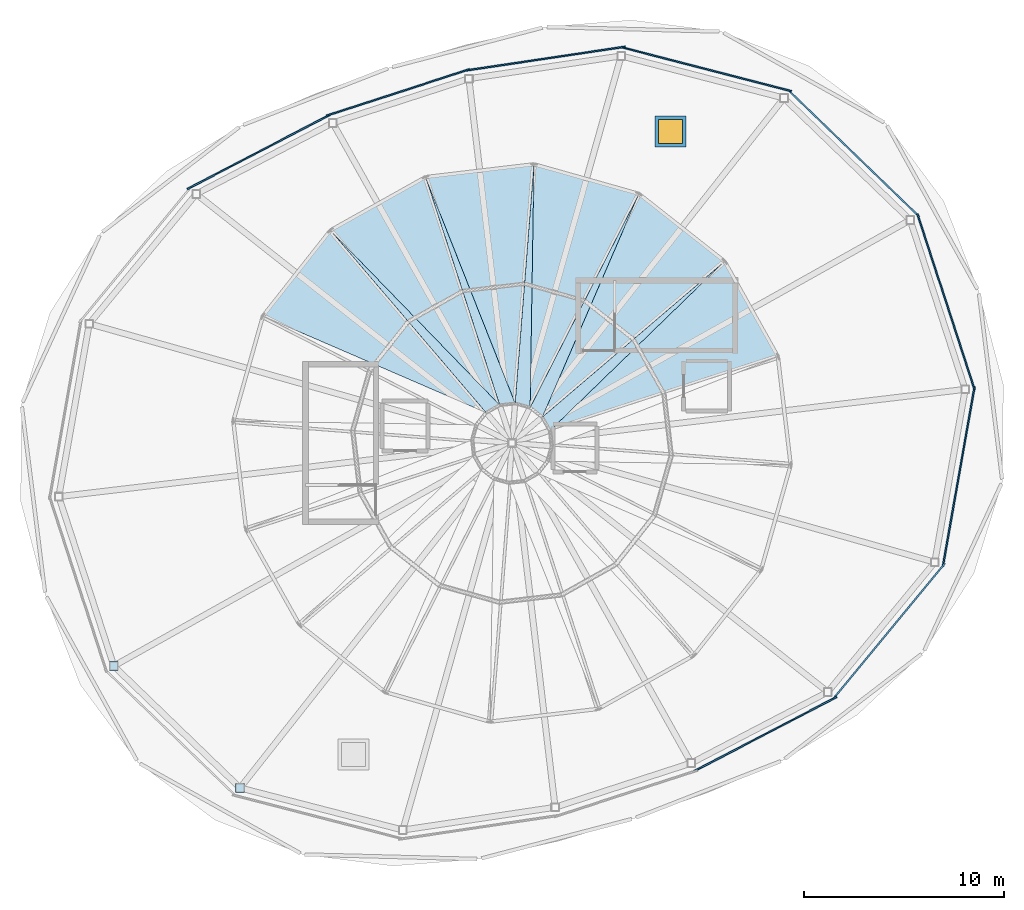
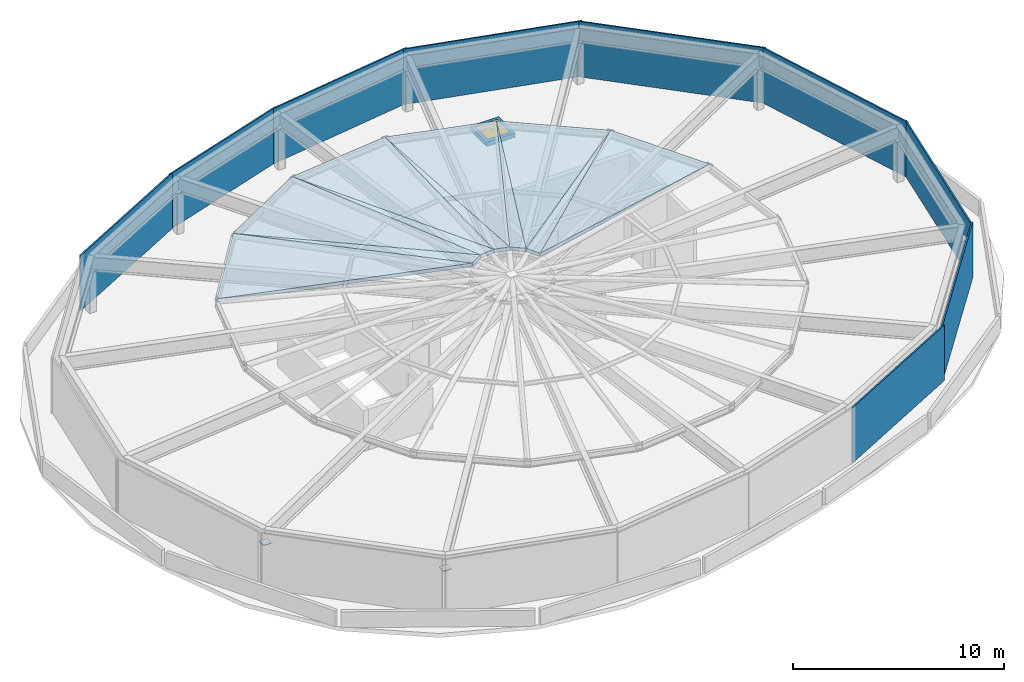
# One storey, part 4 of 9: 12 slabs, 11 plates, 1 door, 1 opening.
"""IFC4 building model written with IfcOpenShell, lengths in metres."""

from ifc_helpers import new_model, si_unit, direction, frame, origin, origin_2d, place, context, subcontext, project, spatial, polyline, rectangle, outline, extrude, material, layer, layer_set, type_object, element, fill, save


model = new_model("IFC4")

# Units and contexts
model_context = context("Model", 3, precision=1e-05, world=origin(), true_north=direction((0.0, 1.0)))
body_context = subcontext(model_context, "Body", "Model", "MODEL_VIEW")
ifc_project = project(units=[si_unit("LENGTHUNIT", "METRE"), si_unit("AREAUNIT", "SQUARE_METRE"), si_unit("VOLUMEUNIT", "CUBIC_METRE"), si_unit("PLANEANGLEUNIT", "RADIAN"), si_unit("MASSUNIT", "GRAM", prefix="KILO")], contexts=[model_context])

# Site, building, storey
site_placement = place(None, origin())
site = spatial("IfcSite", under=ifc_project, at=site_placement, CompositionType="ELEMENT")
building_placement = place(site_placement, origin())
building = spatial("IfcBuilding", under=site, at=building_placement, Name="Kazma Halo Residences", CompositionType="ELEMENT")
storey_placement = place(building_placement, frame((0.0, 0.0, 377.60009765625)))
storey = spatial("IfcBuildingStorey", under=building, at=storey_placement, Name="Roof", CompositionType="ELEMENT", Elevation=377.60009765625)

# Plates
ifc_material_1 = material(Name="Aluminium AW-6063 T6 Perforated Acoustic Louvre Screen", Category="aluminium")
ifc_layer_1 = layer(ifc_material_1, 0.080078125)
ifc_layer_set_1 = layer_set([ifc_layer_1], Name="Aluminium AW-6063 T6 Perforated Acoustic Louvre Screen")
plate_type_1 = type_object("IfcPlateType", Name="PLT-CROWN-LOUVRE", PredefinedType="SHEET", material=ifc_layer_set_1)
plate_1_placement = place(storey_placement, frame((65.11474609375, 56.5048828125, 0.0), z_axis=(0.0, 0.0, 1.0), x_axis=(-0.719342064482, 0.694656025863, 0.0)))
element("IfcPlate", 1, at=plate_1_placement, inside=storey, type_object=plate_type_1, Name="Roof crown halo acoustic louvre screen 01", PredefinedType="SHEET", context=body_context, shape_type="SweptSolid", body=[
    extrude(rectangle(XDim=9.150390625, YDim=0.080078125, at=origin_2d()), origin(), (0.0, 0.0, 1.0), 3.199951171875),
])
plate_2_placement = place(storey_placement, frame((57.7451171875, 60.71826171875, 0.0), z_axis=(0.0, 0.0, 1.0), x_axis=(-0.968124370805, 0.250469963576, 0.0)))
element("IfcPlate", 2, at=plate_2_placement, inside=storey, type_object=plate_type_1, Name="Roof crown halo acoustic louvre screen 02", PredefinedType="SHEET", context=body_context, shape_type="SweptSolid", body=[
    extrude(rectangle(XDim=8.779296875, YDim=0.080078125, at=origin_2d()), origin(), (0.0, 0.0, 1.0), 3.199951171875),
])
plate_3_placement = place(storey_placement, frame((49.692138671875, 61.25146484375, 0.0), z_axis=(0.0, 0.0, 1.0), x_axis=(-0.98903421845, -0.147686542161, 0.0)))
element("IfcPlate", 3, at=plate_3_placement, inside=storey, type_object=plate_type_1, Name="Roof crown halo acoustic louvre screen 03", PredefinedType="SHEET", context=body_context, shape_type="SweptSolid", body=[
    extrude(rectangle(XDim=8.0703125, YDim=0.080078125, at=origin_2d()), origin(), (0.0, 0.0, 1.0), 3.199951171875),
])
plate_4_placement = place(storey_placement, frame((42.296142578125, 59.5546875, 0.0), z_axis=(0.0, 0.0, 1.0), x_axis=(-0.951058260985, -0.309011624721, 0.0)))
element("IfcPlate", 4, at=plate_4_placement, inside=storey, type_object=plate_type_1, Name="Roof crown halo acoustic louvre screen 04", PredefinedType="SHEET", context=body_context, shape_type="SweptSolid", body=[
    extrude(rectangle(XDim=7.528076171875, YDim=0.080078125, at=origin_2d()), origin(), (0.0, 0.0, 1.0), 3.199951171875),
])
for number, where, z_axis, x_axis, name in (
    (5, (35.3154296875, 56.580078125, 0.0), (0.0, 0.0, 1.0), (-0.886949727325, -0.461865977529, 0.0), "Roof crown halo acoustic louvre screen 05"),
    (6, (60.6845703125, 27.419921875, 0.0), (0.0, 0.0, 1.0), (0.886949727325, 0.461865977529, 0.0), "Roof crown halo acoustic louvre screen 13"),
):
    element("IfcPlate", number, at=place(storey_placement, frame(where, z_axis=z_axis, x_axis=x_axis)), inside=storey, type_object=plate_type_1, Name=name, PredefinedType="SHEET", context=body_context, shape_type="SweptSolid", body=[
        extrude(rectangle(XDim=8.0703125, YDim=0.080078125, at=origin_2d()), origin(), (0.0, 0.0, 1.0), 3.199951171875),
    ])
plate_5_placement = place(storey_placement, frame((66.88623046875, 32.584716796875, 0.0), z_axis=(0.0, 0.0, 1.0), x_axis=(0.636007787073, 0.771682638643, 0.0)))
element("IfcPlate", 7, at=plate_5_placement, inside=storey, type_object=plate_type_1, Name="Roof crown halo acoustic louvre screen 14", PredefinedType="SHEET", context=body_context, shape_type="SweptSolid", body=[
    extrude(rectangle(XDim=8.779296875, YDim=0.080078125, at=origin_2d()), origin(), (0.0, 0.0, 1.0), 3.199951171875),
])
plate_6_placement = place(storey_placement, frame((70.371826171875, 40.324951171875, 0.0), z_axis=(0.0, 0.0, 1.0), x_axis=(0.173656186938, 0.984806340728, 0.0)))
element("IfcPlate", 8, at=plate_6_placement, inside=storey, type_object=plate_type_1, Name="Roof crown halo acoustic louvre screen 15", PredefinedType="SHEET", context=body_context, shape_type="SweptSolid", body=[
    extrude(rectangle(XDim=9.150390625, YDim=0.080078125, at=origin_2d()), origin(), (0.0, 0.0, 1.0), 3.199951171875),
])
plate_7_placement = place(storey_placement, frame((69.737060546875, 49.062744140625, 0.0), z_axis=(0.0, 0.0, 1.0), x_axis=(-0.309022680214, 0.951054668835, 0.0)))
element("IfcPlate", 9, at=plate_7_placement, inside=storey, type_object=plate_type_1, Name="Roof crown halo acoustic louvre screen 16", PredefinedType="SHEET", context=body_context, shape_type="SweptSolid", body=[
    extrude(rectangle(XDim=9.277587890625, YDim=0.080078125, at=origin_2d()), origin(), (0.0, 0.0, 1.0), 3.199951171875),
])
ifc_material_2 = material(Name="Steel S355", Category="steel")
ifc_layer_2 = layer(ifc_material_2, 0.0400390625)
ifc_layer_set_2 = layer_set([ifc_layer_2], Name="Steel S355")
plate_type_2 = type_object("IfcPlateType", Name="PLT-GUSSET-40", PredefinedType="SHEET", material=ifc_layer_set_2)
for number, where, z_axis, x_axis, name in (
    (10, (28.059326171875, 30.832763671875, 2.35400390625), (0.0, 0.0, 1.0), (1.0, 0.0, 0.0), "Crown post welded steel cap plate 09"),
    (11, (34.382568359375, 24.726318359375, 2.35400390625), (0.0, 0.0, 1.0), (1.0, 0.0, 0.0), "Crown post welded steel cap plate 10"),
):
    element("IfcPlate", number, at=place(storey_placement, frame(where, z_axis=z_axis, x_axis=x_axis)), inside=storey, type_object=plate_type_2, Name=name, PredefinedType="SHEET", context=body_context, shape_type="SweptSolid", body=[
        extrude(rectangle(XDim=0.43994140625, YDim=0.43994140625, at=origin_2d()), origin(), (0.0, 0.0, 1.0), 0.0400390625),
    ])

# Slab, opening, door
ifc_material_3 = material(Name="Concrete C50/60", Category="concrete")
ifc_layer_3 = layer(ifc_material_3, 0.239990234375)
ifc_layer_set_3 = layer_set([ifc_layer_3], Name="Concrete C50/60")
slab_type_1 = type_object("IfcSlabType", Name="SLB-ROOF-240", PredefinedType="ROOF", material=ifc_layer_set_3)
slab_1_placement = place(storey_placement, origin())
slab_1 = element("IfcSlab", 12, at=slab_1_placement, inside=storey, type_object=slab_type_1, Name="Crown roof hatch concrete upstand curb 1", PredefinedType="ROOF", context=body_context, shape_type="SweptSolid", body=[
    extrude(outline(polyline([(55.164794921875, 56.8125), (56.724853515625, 56.8125), (56.724853515625, 58.37255859375), (55.164794921875, 58.37255859375), (55.164794921875, 56.8125)])), origin(), (0.0, 0.0, 1.0), 0.25),
])
opening_placement = place(slab_1_placement, frame((55.94482421875, 57.592529296875, -0.010009765625)))
opening = element("IfcOpeningElement", 13, at=opening_placement, cuts=slab_1, Name="Opening DRH-1200", PredefinedType="OPENING", context=body_context, shape_type="SweptSolid", body=[
    extrude(rectangle(XDim=1.199951171875, YDim=1.199951171875, at=origin_2d()), origin(), (0.0, 0.0, 1.0), 0.27001953125),
])
ifc_material_4 = material(Name="Aluminium AW-6063 T6 Insulated Roof Hatch", Category="aluminium")
door_type = type_object("IfcDoorType", Name="DR-ROOF-HATCH-1200", OperationType="NOTDEFINED", PredefinedType="TRAPDOOR", material=ifc_material_4)
door_placement = place(slab_1_placement, frame((55.94482421875, 57.592529296875, 0.199951171875)))
door = element("IfcDoor", 14, at=door_placement, inside=storey, type_object=door_type, Name="Crown roof maintenance access hatch 1", OperationType="SINGLE_SWING_LEFT", OverallHeight=1.199951171875, OverallWidth=1.199951171875, PredefinedType="TRAPDOOR", context=body_context, shape_type="SweptSolid", body=[
    extrude(rectangle(XDim=1.199951171875, YDim=1.199951171875, at=origin_2d()), origin(), (0.0, 0.0, 1.0), 0.050048828125),
])
fill(opening, door)

# Slabs
ifc_material_5 = material(Name="Tempered Triple-Silver Structural Glass", Category="glass")
ifc_layer_4 = layer(ifc_material_5, 0.199951171875)
ifc_layer_set_4 = layer_set([ifc_layer_4], Name="Tempered Triple-Silver Structural Glass")
slab_type_2 = type_object("IfcSlabType", Name="SLB-SKYROOF-200", PredefinedType="ROOF", material=ifc_layer_set_4)
slab_2_placement = place(storey_placement, frame((61.314697265625, 46.326171875, 3.199951171875), z_axis=(0.0806106896, 0.045140664825, 0.995722972067), x_axis=(-0.488592481248, 0.872512112964, 0.0)))
element("IfcSlab", 15, at=slab_2_placement, inside=storey, type_object=slab_type_2, Name="Crown 5.2-deg faceted skylight outer panel 01", PredefinedType="ROOF", context=body_context, shape_type="SweptSolid", body=[
    extrude(outline(polyline([(0.0, 0.0), (5.46240234375, 0.0), (2.340576171875, 11.820068359375), (0.0, 0.0)])), origin(), (0.0, 0.0, -1.0), 0.199951171875),
])
slab_3_placement = place(storey_placement, frame((58.645751953125, 51.09228515625, 3.199951171875), z_axis=(0.08060696463, 0.045144524472, 0.995723098639), x_axis=(-0.75727796681, -0.646774059731, 0.090627791779)))
element("IfcSlab", 16, at=slab_3_placement, inside=storey, type_object=slab_type_2, Name="Crown 5.2-deg faceted skylight inner panel 01", PredefinedType="ROOF", context=body_context, shape_type="SweptSolid", body=[
    extrude(outline(polyline([(0.0, 0.0), (12.0498046875, 0.0), (12.201416015625, 0.765625), (0.0, 0.0)])), origin(), (0.0, 0.0, -1.0), 0.199951171875),
])
slab_4_placement = place(storey_placement, frame((58.645751953125, 51.09228515625, 3.199951171875), z_axis=(0.057197351045, 0.072553757957, 0.995723061518), x_axis=(-0.785313877715, 0.619097822213, 0.0)))
element("IfcSlab", 17, at=slab_4_placement, inside=storey, type_object=slab_type_2, Name="Crown 5.2-deg faceted skylight outer panel 02", PredefinedType="ROOF", context=body_context, shape_type="SweptSolid", body=[
    extrude(outline(polyline([(0.0, 0.0), (5.46240234375, 0.0), (2.341064453125, 11.820068359375), (0.0, 0.0)])), origin(), (0.0, 0.0, -1.0), 0.199951171875),
])
slab_5_placement = place(storey_placement, frame((54.35595703125, 54.47412109375, 3.199951171875), z_axis=(0.057202849299, 0.072551365204, 0.995722920013), x_axis=(-0.452127595032, -0.887337128587, 0.090628130521)))
element("IfcSlab", 18, at=slab_5_placement, inside=storey, type_object=slab_type_2, Name="Crown 5.2-deg faceted skylight inner panel 02", PredefinedType="ROOF", context=body_context, shape_type="SweptSolid", body=[
    extrude(outline(polyline([(0.0, 0.0), (12.0498046875, 0.0), (12.201416015625, 0.765380859375), (0.0, 0.0)])), origin(), (0.0, 0.0, -1.0), 0.199951171875),
])
slab_6_placement = place(storey_placement, frame((54.35595703125, 54.47412109375, 3.199951171875), z_axis=(0.025076241729, 0.088920939508, 0.99572297785), x_axis=(-0.962461052499, 0.271419826878, 0.0)))
element("IfcSlab", 19, at=slab_6_placement, inside=storey, type_object=slab_type_2, Name="Crown 5.2-deg faceted skylight outer panel 03", PredefinedType="ROOF", context=body_context, shape_type="SweptSolid", body=[
    extrude(outline(polyline([(0.0, 0.0), (5.462646484375, 0.0), (2.34130859375, 11.820068359375), (0.0, 0.0)])), origin(), (0.0, 0.0, -1.0), 0.199951171875),
])
slab_7_placement = place(storey_placement, frame((49.098388671875, 55.956787109375, 3.199951171875), z_axis=(0.025092045476, 0.088920658854, 0.995722604786), x_axis=(-0.078128483673, -0.992815274889, 0.090629851522)))
element("IfcSlab", 20, at=slab_7_placement, inside=storey, type_object=slab_type_2, Name="Crown 5.2-deg faceted skylight inner panel 03", PredefinedType="ROOF", context=body_context, shape_type="SweptSolid", body=[
    extrude(outline(polyline([(0.0, 0.0), (12.049560546875, 0.0), (12.201171875, 0.765380859375), (0.0, 0.0)])), origin(), (0.0, 0.0, -1.0), 0.199951171875),
])
slab_8_placement = place(storey_placement, frame((49.098388671875, 55.956787109375, 3.199951171875), z_axis=(-0.010860175598, 0.091749901751, 0.99572285909), x_axis=(-0.993067371545, -0.117546567675, 0.0)))
element("IfcSlab", 21, at=slab_8_placement, inside=storey, type_object=slab_type_2, Name="Crown 5.2-deg faceted skylight outer panel 04", PredefinedType="ROOF", context=body_context, shape_type="SweptSolid", body=[
    extrude(outline(polyline([(0.0, 0.0), (5.46240234375, 0.0), (2.341064453125, 11.81982421875), (0.0, 0.0)])), origin(), (0.0, 0.0, -1.0), 0.199951171875),
])
slab_9_placement = place(storey_placement, frame((43.673828125, 55.314697265625, 3.199951171875), z_axis=(-0.010868533778, 0.091746612266, 0.995723070995), x_axis=(0.307750862774, -0.947140814485, 0.090629377127)))
element("IfcSlab", 22, at=slab_9_placement, inside=storey, type_object=slab_type_2, Name="Crown 5.2-deg faceted skylight inner panel 04", PredefinedType="ROOF", context=body_context, shape_type="SweptSolid", body=[
    extrude(outline(polyline([(0.0, 0.0), (12.049560546875, 0.0), (12.201171875, 0.765380859375), (0.0, 0.0)])), origin(), (0.0, 0.0, -1.0), 0.199951171875),
])
slab_10_placement = place(storey_placement, frame((43.673828125, 55.314697265625, 3.199951171875), z_axis=(-0.045140664825, 0.0806106896, 0.995722972067), x_axis=(-0.872512112964, -0.488592481248, 0.0)))
element("IfcSlab", 23, at=slab_10_placement, inside=storey, type_object=slab_type_2, Name="Crown 5.2-deg faceted skylight outer panel 05", PredefinedType="ROOF", context=body_context, shape_type="SweptSolid", body=[
    extrude(outline(polyline([(0.0, 0.0), (5.46240234375, 0.0), (2.340576171875, 11.820068359375), (0.0, 0.0)])), origin(), (0.0, 0.0, -1.0), 0.199951171875),
])
slab_11_placement = place(storey_placement, frame((38.90771484375, 52.645751953125, 3.199951171875), z_axis=(-0.045144524472, 0.08060696463, 0.995723098639), x_axis=(0.646774059731, -0.75727796681, 0.090627791779)))
element("IfcSlab", 24, at=slab_11_placement, inside=storey, type_object=slab_type_2, Name="Crown 5.2-deg faceted skylight inner panel 05", PredefinedType="ROOF", context=body_context, shape_type="SweptSolid", body=[
    extrude(outline(polyline([(0.0, 0.0), (12.0498046875, 0.0), (12.201416015625, 0.765625), (0.0, 0.0)])), origin(), (0.0, 0.0, -1.0), 0.199951171875),
])
slab_12_placement = place(storey_placement, frame((38.90771484375, 52.645751953125, 3.199951171875), z_axis=(-0.072553757957, 0.057197351045, 0.995723061518), x_axis=(-0.619097822213, -0.785313877715, 0.0)))
element("IfcSlab", 25, at=slab_12_placement, inside=storey, type_object=slab_type_2, Name="Crown 5.2-deg faceted skylight outer panel 06", PredefinedType="ROOF", context=body_context, shape_type="SweptSolid", body=[
    extrude(outline(polyline([(0.0, 0.0), (5.46240234375, 0.0), (2.341064453125, 11.820068359375), (0.0, 0.0)])), origin(), (0.0, 0.0, -1.0), 0.199951171875),
])

save(model, "model.ifc")
